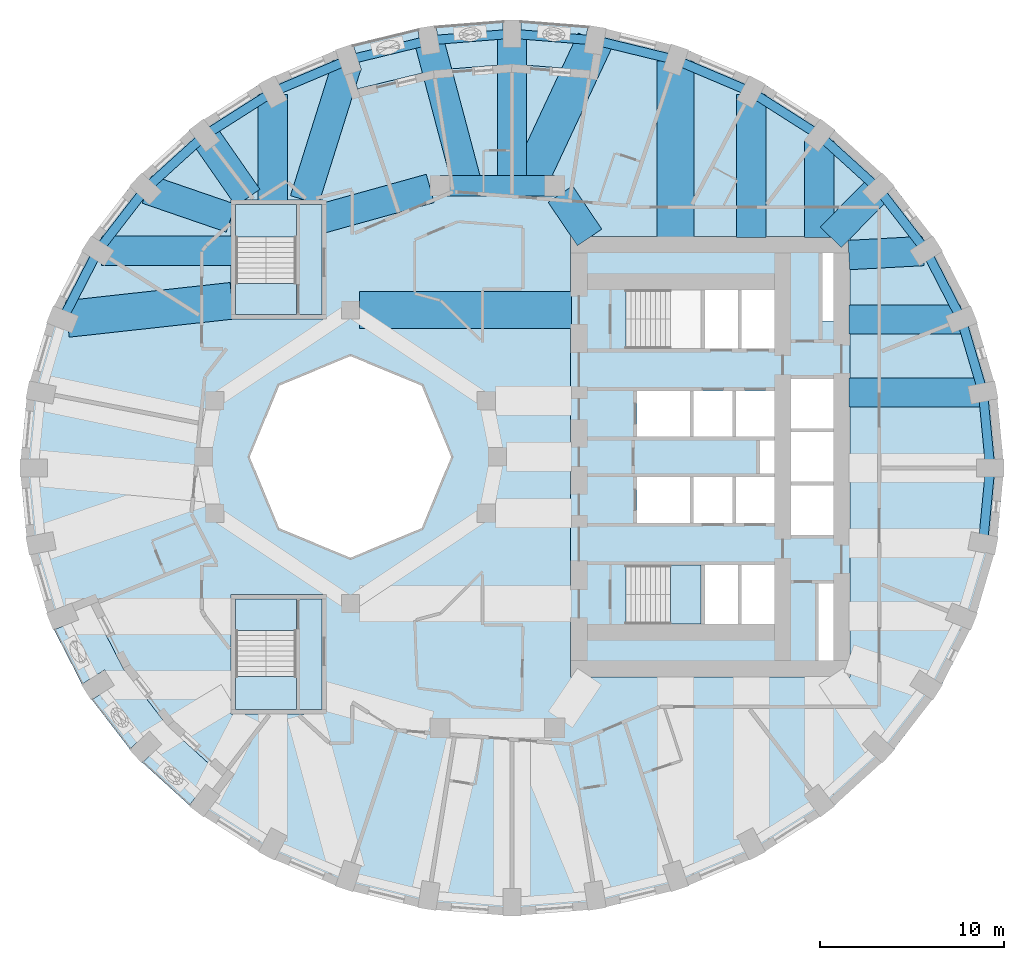
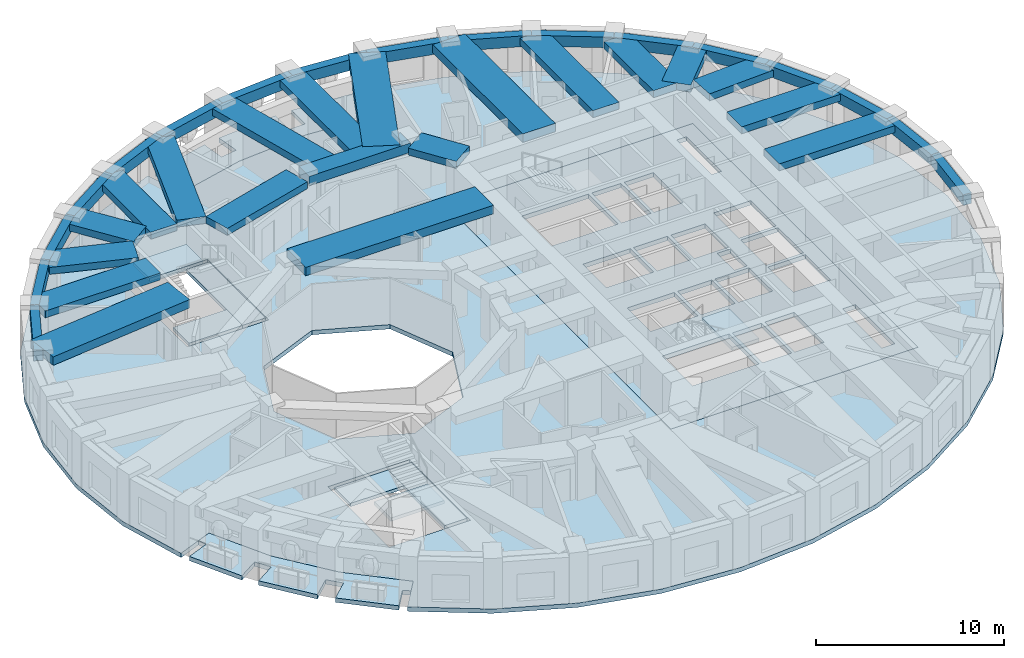
# One storey, part 2 of 12: 37 beams, 11 slabs, 3 elements without a shape of their own.
"""IFC4 building model written with IfcOpenShell, lengths in metres."""

from ifc_helpers import new_model, si_unit, direction, frame, origin, origin_2d, place, context, subcontext, project, spatial, polyline, rectangle, outline, extrude, material, layer, layer_set, material_profile, profile_set, type_object, element, aggregate, save


model = new_model("IFC4")

# Units and contexts
model_context = context("Model", 3, precision=1e-05, world=origin(), true_north=direction((0.0, 1.0)))
body_context = subcontext(model_context, "Body", "Model", "MODEL_VIEW")
ifc_project = project(units=[si_unit("LENGTHUNIT", "METRE"), si_unit("AREAUNIT", "SQUARE_METRE"), si_unit("VOLUMEUNIT", "CUBIC_METRE"), si_unit("PLANEANGLEUNIT", "RADIAN"), si_unit("MASSUNIT", "GRAM", prefix="KILO")], contexts=[model_context])

# Site, building, storey
site_placement = place(None, origin())
site = spatial("IfcSite", under=ifc_project, at=site_placement, CompositionType="ELEMENT")
building_placement = place(site_placement, origin())
building = spatial("IfcBuilding", under=site, at=building_placement, Name="Taillehof Tower", CompositionType="ELEMENT")
storey_placement = place(building_placement, frame((0.0, 0.0, 128.5)))
storey = spatial("IfcBuildingStorey", under=building, at=storey_placement, Name="L36", CompositionType="ELEMENT", Elevation=128.5)

# Beams
ifc_material_1 = material(Name="Concrete C50/60", Category="concrete")
ifc_material_profile_1 = material_profile(ifc_material_1, rectangle(XDim=1.10009765625, YDim=0.60009765625, at=origin_2d()), Name="RC 1100x600")
ifc_profile_set_1 = profile_set([ifc_material_profile_1], Name="Concrete C50/60")
beam_type_1 = type_object("IfcBeamType", Name="Mid-ring beam C50/60 1100x600", PredefinedType="BEAM", material=ifc_profile_set_1)
beam_1_placement = place(storey_placement, frame((3.125732421875, 14.772216796875, 2.719970703125), z_axis=(-1.0, 0.0, 0.0), x_axis=(0.0, -1.0, 0.0)))
element("IfcBeam", 1, at=beam_1_placement, inside=storey, type_object=beam_type_1, Name="Mid-ring beam MB01", PredefinedType="BEAM", context=body_context, shape_type="SweptSolid", body=[
    extrude(rectangle(XDim=1.10009765625, YDim=0.60009765625, at=origin_2d()), origin(), (0.0, 0.0, 1.0), 6.25146484375),
])
ifc_material_2 = material(Name="Concrete C50/60", Category="concrete")
ifc_material_profile_2 = material_profile(ifc_material_2, rectangle(XDim=1.60009765625, YDim=0.449951171875, at=origin_2d()), Name="RC 1600x450")
ifc_profile_set_2 = profile_set([ifc_material_profile_2], Name="Concrete C50/60")
beam_type_2 = type_object("IfcBeamType", Name="Radial band beam C50/60 1600x450", PredefinedType="BEAM", material=ifc_profile_set_2)
beam_2_placement = place(storey_placement, frame((26.454345703125, 3.5068359375, 2.794921875), z_axis=(-1.0, 0.0, 0.0), x_axis=(0.0, -1.0, 0.0)))
element("IfcBeam", 2, at=beam_2_placement, inside=storey, type_object=beam_type_2, Name="Radial band beam RB02", PredefinedType="BEAM", context=body_context, shape_type="SweptSolid", body=[
    extrude(rectangle(XDim=1.60009765625, YDim=0.449951171875, at=origin_2d()), origin(), (0.0, 0.0, 1.0), 7.304443359375),
])
beam_3_placement = place(storey_placement, frame((25.2275390625, 7.48876953125, 2.794921875), z_axis=(-1.0, 0.0, 0.0), x_axis=(0.0, -1.0, 0.0)))
element("IfcBeam", 3, at=beam_3_placement, inside=storey, type_object=beam_type_2, Name="Radial band beam RB03", PredefinedType="BEAM", context=body_context, shape_type="SweptSolid", body=[
    extrude(rectangle(XDim=1.60009765625, YDim=0.449951171875, at=origin_2d()), origin(), (0.0, 0.0, 1.0), 6.07763671875),
])
beam_4_placement = place(storey_placement, frame((23.197021484375, 11.21630859375, 2.794921875), z_axis=(-0.998539024739, -0.054035322466, 0.0), x_axis=(0.054035322466, -0.998539024739, 0.0)))
element("IfcBeam", 4, at=beam_4_placement, inside=storey, type_object=beam_type_2, Name="Radial band beam RB04", PredefinedType="BEAM", context=body_context, shape_type="SweptSolid", body=[
    extrude(rectangle(XDim=1.60009765625, YDim=0.449951171875, at=origin_2d()), origin(), (0.0, 0.0, 1.0), 4.052734375),
])
beam_5_placement = place(storey_placement, frame((20.75537109375, 14.60205078125, 2.794921875), z_axis=(-0.700671998657, -0.713483531903, 0.0), x_axis=(0.713483531903, -0.700671998657, 0.0)))
element("IfcBeam", 5, at=beam_5_placement, inside=storey, type_object=beam_type_2, Name="Radial band beam RB05", PredefinedType="BEAM", context=body_context, shape_type="SweptSolid", body=[
    extrude(rectangle(XDim=1.60009765625, YDim=0.449951171875, at=origin_2d()), origin(), (0.0, 0.0, 1.0), 3.697021484375),
])
beam_6_placement = place(storey_placement, frame((17.544677734375, 17.2216796875, 2.794921875), z_axis=(0.0, -1.0, 0.0), x_axis=(1.0, 0.0, 0.0)))
element("IfcBeam", 6, at=beam_6_placement, inside=storey, type_object=beam_type_2, Name="Radial band beam RB06", PredefinedType="BEAM", context=body_context, shape_type="SweptSolid", body=[
    extrude(rectangle(XDim=1.60009765625, YDim=0.449951171875, at=origin_2d()), origin(), (0.0, 0.0, 1.0), 5.271728515625),
])
beam_7_placement = place(storey_placement, frame((13.824951171875, 19.744384765625, 2.794921875), z_axis=(0.0, -1.0, 0.0), x_axis=(1.0, 0.0, 0.0)))
element("IfcBeam", 7, at=beam_7_placement, inside=storey, type_object=beam_type_2, Name="Radial band beam RB07", PredefinedType="BEAM", context=body_context, shape_type="SweptSolid", body=[
    extrude(rectangle(XDim=1.60009765625, YDim=0.449951171875, at=origin_2d()), origin(), (0.0, 0.0, 1.0), 7.79443359375),
])
beam_8_placement = place(storey_placement, frame((0.800048828125, 23.050048828125, 2.794921875), z_axis=(0.0, -1.0, 0.0), x_axis=(1.0, 0.0, 0.0)))
element("IfcBeam", 8, at=beam_8_placement, inside=storey, type_object=beam_type_2, Name="Radial band beam RB10", PredefinedType="BEAM", context=body_context, shape_type="SweptSolid", body=[
    extrude(rectangle(XDim=1.60009765625, YDim=0.449951171875, at=origin_2d()), origin(), (0.0, 0.0, 1.0), 8.27783203125),
])
beam_9_placement = place(storey_placement, frame((-3.7236328125, 22.690673828125, 2.794921875), z_axis=(0.256102263642, -0.966649693817, 0.0), x_axis=(0.966649693817, 0.256102263642, 0.0)))
element("IfcBeam", 9, at=beam_9_placement, inside=storey, type_object=beam_type_2, Name="Radial band beam RB11", PredefinedType="BEAM", context=body_context, shape_type="SweptSolid", body=[
    extrude(rectangle(XDim=1.60009765625, YDim=0.449951171875, at=origin_2d()), origin(), (0.0, 0.0, 1.0), 8.191650390625),
])
beam_10_placement = place(storey_placement, frame((-8.189453125, 21.369140625, 2.794921875), z_axis=(-0.299184997435, -0.954195125386, 0.0), x_axis=(0.954195125386, -0.299184997435, 0.0)))
element("IfcBeam", 10, at=beam_10_placement, inside=storey, type_object=beam_type_2, Name="Radial band beam RB12", PredefinedType="BEAM", context=body_context, shape_type="SweptSolid", body=[
    extrude(rectangle(XDim=1.60009765625, YDim=0.449951171875, at=origin_2d()), origin(), (0.0, 0.0, 1.0), 7.728515625),
])
beam_11_placement = place(storey_placement, frame((-12.22509765625, 19.744384765625, 2.794921875), z_axis=(0.0, -1.0, 0.0), x_axis=(1.0, 0.0, 0.0)))
element("IfcBeam", 11, at=beam_11_placement, inside=storey, type_object=beam_type_2, Name="Radial band beam RB13", PredefinedType="BEAM", context=body_context, shape_type="SweptSolid", body=[
    extrude(rectangle(XDim=1.60009765625, YDim=0.449951171875, at=origin_2d()), origin(), (0.0, 0.0, 1.0), 5.79443359375),
])
beam_12_placement = place(storey_placement, frame((-15.944580078125, 17.516845703125, 2.794921875), z_axis=(0.570763290366, -0.821114648737, 0.0), x_axis=(0.821114648737, 0.570763290366, 0.0)))
element("IfcBeam", 12, at=beam_12_placement, inside=storey, type_object=beam_type_2, Name="Radial band beam RB14", PredefinedType="BEAM", context=body_context, shape_type="SweptSolid", body=[
    extrude(rectangle(XDim=1.60009765625, YDim=0.449951171875, at=origin_2d()), origin(), (0.0, 0.0, 1.0), 4.1328125),
])
beam_13_placement = place(storey_placement, frame((-19.080810546875, 14.576171875, 2.794921875), z_axis=(0.945583195076, -0.325380425334, 0.0), x_axis=(0.325380425334, 0.945583195076, 0.0)))
element("IfcBeam", 13, at=beam_13_placement, inside=storey, type_object=beam_type_2, Name="Radial band beam RB15", PredefinedType="BEAM", context=body_context, shape_type="SweptSolid", body=[
    extrude(rectangle(XDim=1.60009765625, YDim=0.449951171875, at=origin_2d()), origin(), (0.0, 0.0, 1.0), 4.83349609375),
])
beam_14_placement = place(storey_placement, frame((-21.54736328125, 11.22509765625, 2.794921875), z_axis=(1.0, 0.0, 0.0), x_axis=(0.0, 1.0, 0.0)))
element("IfcBeam", 14, at=beam_14_placement, inside=storey, type_object=beam_type_2, Name="Radial band beam RB16", PredefinedType="BEAM", context=body_context, shape_type="SweptSolid", body=[
    extrude(rectangle(XDim=1.60009765625, YDim=0.449951171875, at=origin_2d()), origin(), (0.0, 0.0, 1.0), 7.097412109375),
])
beam_15_placement = place(storey_placement, frame((3.433837890625, 14.31640625, 2.794921875), z_axis=(0.560112043398, -0.828416862962, 0.0), x_axis=(0.828416862962, 0.560112043398, 0.0)))
element("IfcBeam", 15, at=beam_15_placement, inside=storey, type_object=beam_type_2, Name="Inner band beam IB205", PredefinedType="BEAM", context=body_context, shape_type="SweptSolid", body=[
    extrude(rectangle(XDim=1.60009765625, YDim=0.449951171875, at=origin_2d()), origin(), (0.0, 0.0, 1.0), 2.84619140625),
])
beam_16_placement = place(storey_placement, frame((-3.655517578125, 14.624755859375, 2.794921875), z_axis=(-0.963459369536, -0.267854518821, 0.0), x_axis=(0.267854518821, -0.963459369536, 0.0)))
element("IfcBeam", 16, at=beam_16_placement, inside=storey, type_object=beam_type_2, Name="Inner band beam IB206", PredefinedType="BEAM", context=body_context, shape_type="SweptSolid", body=[
    extrude(rectangle(XDim=1.60009765625, YDim=0.449951171875, at=origin_2d()), origin(), (0.0, 0.0, 1.0), 6.096923828125),
])
ifc_material_3 = material(Name="Concrete C50/60", Category="concrete")
ifc_material_profile_3 = material_profile(ifc_material_3, rectangle(XDim=2.0, YDim=0.550048828125, at=origin_2d()), Name="RC 2000x550")
ifc_profile_set_3 = profile_set([ifc_material_profile_3], Name="Concrete C50/60")
beam_type_3 = type_object("IfcBeamType", Name="Radial band beam C50/60 2000x550", PredefinedType="BEAM", material=ifc_profile_set_3)
beam_17_placement = place(storey_placement, frame((9.709716796875, 21.556640625, 2.7451171875), z_axis=(0.0, -1.0, 0.0), x_axis=(1.0, 0.0, 0.0)))
element("IfcBeam", 17, at=beam_17_placement, inside=storey, type_object=beam_type_3, Name="Radial band beam RB08", PredefinedType="BEAM", context=body_context, shape_type="SweptSolid", body=[
    extrude(rectangle(XDim=2.0, YDim=0.550048828125, at=origin_2d()), origin(), (0.0, 0.0, 1.0), 9.606689453125),
])
beam_18_placement = place(storey_placement, frame((5.312744140625, 22.66748046875, 2.7451171875), z_axis=(-0.423126261145, -0.90607072965, 0.0), x_axis=(0.90607072965, -0.423126261145, 0.0)))
element("IfcBeam", 18, at=beam_18_placement, inside=storey, type_object=beam_type_3, Name="Radial band beam RB09", PredefinedType="BEAM", context=body_context, shape_type="SweptSolid", body=[
    extrude(rectangle(XDim=2.0, YDim=0.550048828125, at=origin_2d()), origin(), (0.0, 0.0, 1.0), 8.713623046875),
])
beam_19_placement = place(storey_placement, frame((-23.42919921875, 7.516357421875, 2.7451171875), z_axis=(0.993988424713, 0.109485211499, 0.0), x_axis=(-0.109485211499, 0.993988424713, 0.0)))
element("IfcBeam", 19, at=beam_19_placement, inside=storey, type_object=beam_type_3, Name="Radial band beam RB17", PredefinedType="BEAM", context=body_context, shape_type="SweptSolid", body=[
    extrude(rectangle(XDim=2.0, YDim=0.550048828125, at=origin_2d()), origin(), (0.0, 0.0, 1.0), 9.033203125),
])
beam_20_placement = place(storey_placement, frame((-7.5, 8.0, 2.7451171875), z_axis=(1.0, 0.0, 0.0), x_axis=(0.0, 1.0, 0.0)))
element("IfcBeam", 20, at=beam_20_placement, inside=storey, type_object=beam_type_3, Name="Inner band beam IB105", PredefinedType="BEAM", context=body_context, shape_type="SweptSolid", body=[
    extrude(rectangle(XDim=2.0, YDim=0.550048828125, at=origin_2d()), origin(), (0.0, 0.0, 1.0), 11.550048828125),
])
ifc_material_4 = material(Name="Concrete C50/60", Category="concrete")
ifc_material_profile_4 = material_profile(ifc_material_4, rectangle(XDim=0.5, YDim=0.699951171875, at=origin_2d()), Name="RC 500x700")
ifc_profile_set_4 = profile_set([ifc_material_profile_4], Name="Concrete C50/60")
beam_type_4 = type_object("IfcBeamType", Name="Spandrel beam C50/60 500x700", PredefinedType="SPANDREL", material=ifc_profile_set_4)
beam_21_placement = place(storey_placement, frame((26.85009765625, -0.60009765625, 2.669921875), z_axis=(-0.095917608943, 0.995389276763, 0.0), x_axis=(-0.995389276763, -0.095917608943, 0.0)))
element("IfcBeam", 21, at=beam_21_placement, inside=storey, type_object=beam_type_4, Name="Spandrel beam SB01", PredefinedType="SPANDREL", context=body_context, shape_type="SweptSolid", body=[
    extrude(rectangle(XDim=0.5, YDim=0.699951171875, at=origin_2d()), origin(), (0.0, 0.0, 1.0), 4.1259765625),
])
beam_22_placement = place(storey_placement, frame((26.454345703125, 3.5068359375, 2.669921875), z_axis=(-0.28308309012, 0.95909538842, 0.0), x_axis=(-0.95909538842, -0.28308309012, 0.0)))
element("IfcBeam", 22, at=beam_22_placement, inside=storey, type_object=beam_type_4, Name="Spandrel beam SB02", PredefinedType="SPANDREL", context=body_context, shape_type="SweptSolid", body=[
    extrude(rectangle(XDim=0.5, YDim=0.699951171875, at=origin_2d()), origin(), (0.0, 0.0, 1.0), 4.15185546875),
])
beam_23_placement = place(storey_placement, frame((25.279052734375, 7.48876953125, 2.669921875), z_axis=(-0.456905372708, 0.88951530644, 0.0), x_axis=(-0.88951530644, -0.456905372708, 0.0)))
element("IfcBeam", 23, at=beam_23_placement, inside=storey, type_object=beam_type_4, Name="Spandrel beam SB03", PredefinedType="SPANDREL", context=body_context, shape_type="SweptSolid", body=[
    extrude(rectangle(XDim=0.5, YDim=0.699951171875, at=origin_2d()), origin(), (0.0, 0.0, 1.0), 4.200439453125),
])
beam_24_placement = place(storey_placement, frame((23.35986328125, 11.22509765625, 2.669921875), z_axis=(-0.61071731561, 0.79184869793, 0.0), x_axis=(-0.79184869793, -0.61071731561, 0.0)))
element("IfcBeam", 24, at=beam_24_placement, inside=storey, type_object=beam_type_4, Name="Spandrel beam SB04", PredefinedType="SPANDREL", context=body_context, shape_type="SweptSolid", body=[
    extrude(rectangle(XDim=0.5, YDim=0.699951171875, at=origin_2d()), origin(), (0.0, 0.0, 1.0), 4.2646484375),
])
beam_25_placement = place(storey_placement, frame((20.75537109375, 14.60205078125, 2.669921875), z_axis=(-0.740400998917, 0.672165426665, 0.0), x_axis=(-0.672165426665, -0.740400998917, 0.0)))
element("IfcBeam", 25, at=beam_25_placement, inside=storey, type_object=beam_type_4, Name="Spandrel beam SB05", PredefinedType="SPANDREL", context=body_context, shape_type="SweptSolid", body=[
    extrude(rectangle(XDim=0.5, YDim=0.699951171875, at=origin_2d()), origin(), (0.0, 0.0, 1.0), 4.33642578125),
])
beam_26_placement = place(storey_placement, frame((17.544677734375, 17.516845703125, 2.669921875), z_axis=(-0.843903157847, 0.536495536027, 0.0), x_axis=(-0.536495536027, -0.843903157847, 0.0)))
element("IfcBeam", 26, at=beam_26_placement, inside=storey, type_object=beam_type_4, Name="Spandrel beam SB06", PredefinedType="SPANDREL", context=body_context, shape_type="SweptSolid", body=[
    extrude(rectangle(XDim=0.5, YDim=0.699951171875, at=origin_2d()), origin(), (0.0, 0.0, 1.0), 4.40771484375),
])
beam_27_placement = place(storey_placement, frame((13.824951171875, 19.881591796875, 2.669921875), z_axis=(-0.920876744153, 0.389853847074, 0.0), x_axis=(-0.389853847074, -0.920876744153, 0.0)))
element("IfcBeam", 27, at=beam_27_placement, inside=storey, type_object=beam_type_4, Name="Spandrel beam SB07", PredefinedType="SPANDREL", context=body_context, shape_type="SweptSolid", body=[
    extrude(rectangle(XDim=0.5, YDim=0.699951171875, at=origin_2d()), origin(), (0.0, 0.0, 1.0), 4.46875),
])
beam_28_placement = place(storey_placement, frame((9.709716796875, 21.623779296875, 2.669921875), z_axis=(-0.971668945916, 0.23634605887, 0.0), x_axis=(-0.23634605887, -0.971668945916, 0.0)))
element("IfcBeam", 28, at=beam_28_placement, inside=storey, type_object=beam_type_4, Name="Spandrel beam SB08", PredefinedType="SPANDREL", context=body_context, shape_type="SweptSolid", body=[
    extrude(rectangle(XDim=0.5, YDim=0.699951171875, at=origin_2d()), origin(), (0.0, 0.0, 1.0), 4.51416015625),
])
beam_29_placement = place(storey_placement, frame((5.323486328125, 22.690673828125, 2.669921875), z_axis=(-0.996858923208, 0.079197772828, 0.0), x_axis=(-0.079197772828, -0.996858923208, 0.0)))
element("IfcBeam", 29, at=beam_29_placement, inside=storey, type_object=beam_type_4, Name="Spandrel beam SB09", PredefinedType="SPANDREL", context=body_context, shape_type="SweptSolid", body=[
    extrude(rectangle(XDim=0.5, YDim=0.699951171875, at=origin_2d()), origin(), (0.0, 0.0, 1.0), 4.53759765625),
])
beam_30_placement = place(storey_placement, frame((0.800048828125, 23.050048828125, 2.669921875), z_axis=(-0.996859260648, -0.079193525375, 0.0), x_axis=(0.079193525375, -0.996859260648, 0.0)))
element("IfcBeam", 30, at=beam_30_placement, inside=storey, type_object=beam_type_4, Name="Spandrel beam SB10", PredefinedType="SPANDREL", context=body_context, shape_type="SweptSolid", body=[
    extrude(rectangle(XDim=0.5, YDim=0.699951171875, at=origin_2d()), origin(), (0.0, 0.0, 1.0), 4.537841796875),
])
beam_31_placement = place(storey_placement, frame((-3.7236328125, 22.690673828125, 2.669921875), z_axis=(-0.971665924588, -0.236358479847, 0.0), x_axis=(0.236358479847, -0.971665924588, 0.0)))
element("IfcBeam", 31, at=beam_31_placement, inside=storey, type_object=beam_type_4, Name="Spandrel beam SB11", PredefinedType="SPANDREL", context=body_context, shape_type="SweptSolid", body=[
    extrude(rectangle(XDim=0.5, YDim=0.699951171875, at=origin_2d()), origin(), (0.0, 0.0, 1.0), 4.513916015625),
])
beam_32_placement = place(storey_placement, frame((-8.109619140625, 21.623779296875, 2.669921875), z_axis=(-0.920885046825, -0.389834234688, 0.0), x_axis=(0.389834234688, -0.920885046825, 0.0)))
element("IfcBeam", 32, at=beam_32_placement, inside=storey, type_object=beam_type_4, Name="Spandrel beam SB12", PredefinedType="SPANDREL", context=body_context, shape_type="SweptSolid", body=[
    extrude(rectangle(XDim=0.5, YDim=0.699951171875, at=origin_2d()), origin(), (0.0, 0.0, 1.0), 4.468994140625),
])
beam_33_placement = place(storey_placement, frame((-12.22509765625, 19.881591796875, 2.669921875), z_axis=(-0.843887214322, -0.536520614239, 0.0), x_axis=(0.536520614239, -0.843887214322, 0.0)))
element("IfcBeam", 33, at=beam_33_placement, inside=storey, type_object=beam_type_4, Name="Spandrel beam SB13", PredefinedType="SPANDREL", context=body_context, shape_type="SweptSolid", body=[
    extrude(rectangle(XDim=0.5, YDim=0.699951171875, at=origin_2d()), origin(), (0.0, 0.0, 1.0), 4.407470703125),
])
beam_34_placement = place(storey_placement, frame((-15.944580078125, 17.516845703125, 2.669921875), z_axis=(-0.740426434014, -0.672137408432, 0.0), x_axis=(0.672137408432, -0.740426434014, 0.0)))
element("IfcBeam", 34, at=beam_34_placement, inside=storey, type_object=beam_type_4, Name="Spandrel beam SB14", PredefinedType="SPANDREL", context=body_context, shape_type="SweptSolid", body=[
    extrude(rectangle(XDim=0.5, YDim=0.699951171875, at=origin_2d()), origin(), (0.0, 0.0, 1.0), 4.336669921875),
])
beam_35_placement = place(storey_placement, frame((-19.155517578125, 14.60205078125, 2.669921875), z_axis=(-0.61071731561, -0.79184869793, 0.0), x_axis=(0.79184869793, -0.61071731561, 0.0)))
element("IfcBeam", 35, at=beam_35_placement, inside=storey, type_object=beam_type_4, Name="Spandrel beam SB15", PredefinedType="SPANDREL", context=body_context, shape_type="SweptSolid", body=[
    extrude(rectangle(XDim=0.5, YDim=0.699951171875, at=origin_2d()), origin(), (0.0, 0.0, 1.0), 4.2646484375),
])
beam_36_placement = place(storey_placement, frame((-21.760009765625, 11.22509765625, 2.669921875), z_axis=(-0.456859381733, -0.889538928503, 0.0), x_axis=(0.889538928503, -0.456859381733, 0.0)))
element("IfcBeam", 36, at=beam_36_placement, inside=storey, type_object=beam_type_4, Name="Spandrel beam SB16", PredefinedType="SPANDREL", context=body_context, shape_type="SweptSolid", body=[
    extrude(rectangle(XDim=0.5, YDim=0.699951171875, at=origin_2d()), origin(), (0.0, 0.0, 1.0), 4.2001953125),
])
beam_37_placement = place(storey_placement, frame((26.454345703125, -4.706787109375, 2.669921875), z_axis=(0.09592325873, 0.995388732323, 0.0), x_axis=(-0.995388732323, 0.09592325873, 0.0)))
element("IfcBeam", 37, at=beam_37_placement, inside=storey, type_object=beam_type_4, Name="Spandrel beam SB36", PredefinedType="SPANDREL", context=body_context, shape_type="SweptSolid", body=[
    extrude(rectangle(XDim=0.5, YDim=0.699951171875, at=origin_2d()), origin(), (0.0, 0.0, 1.0), 4.125732421875),
])

# Slabs
ifc_material_5 = material(Name="Concrete C40/50", Category="concrete")
ifc_layer_1 = layer(ifc_material_5, 0.280029296875)
ifc_layer_set_1 = layer_set([ifc_layer_1], Name="Balcony slab 280")
slab_type_1 = type_object("IfcSlabType", Name="Balcony slab 280", PredefinedType="USERDEFINED", material=ifc_layer_set_1)
slab_1_placement = place(storey_placement, frame((0.0, 0.0, -0.280029296875)))
element("IfcSlab", 38, at=slab_1_placement, inside=storey, type_object=slab_type_1, Name="Balcony L36 pocket 2", ObjectType="BALCONY", PredefinedType="USERDEFINED", context=body_context, shape_type="SweptSolid", body=[
    extrude(outline(polyline([(-7.611328125, 20.05029296875), (-7.894287109375, 20.905029296875), (-7.399169921875, 21.069091796875), (-7.857666015625, 22.45263671875), (-4.329833984375, 23.313232421875), (-4.098388671875, 21.870849609375), (-3.111083984375, 22.029541015625), (-3.34228515625, 23.469970703125), (0.300048828125, 23.76025390625), (0.300048828125, 22.300048828125), (1.300048828125, 22.300048828125), (1.300048828125, 23.76025390625), (4.942138671875, 23.469970703125), (4.7109375, 22.029541015625), (5.216064453125, 21.9482421875), (5.0732421875, 21.0595703125), (0.800048828125, 21.39990234375), (-3.473388671875, 21.0595703125), (-7.611328125, 20.05029296875)])), origin(), (0.0, 0.0, 1.0), 0.280029296875),
])
slab_2_placement = place(storey_placement, frame((0.0, 0.0, -0.280029296875)))
element("IfcSlab", 39, at=slab_2_placement, inside=storey, type_object=slab_type_1, Name="Balcony L36 pocket 6", ObjectType="BALCONY", PredefinedType="USERDEFINED", context=body_context, shape_type="SweptSolid", body=[
    extrude(outline(polyline([(-14.9697265625, -17.38427734375), (-15.5166015625, -18.10009765625), (-15.88671875, -17.8173828125), (-16.7724609375, -18.976806640625), (-19.3330078125, -16.6455078125), (-18.26513671875, -15.661376953125), (-18.94287109375, -14.926025390625), (-20.0146484375, -15.913818359375), (-22.084228515625, -13.22265625), (-20.85888671875, -12.445556640625), (-21.394287109375, -11.60107421875), (-22.6240234375, -12.380859375), (-24.14404296875, -9.4130859375), (-22.796875, -8.874755859375), (-22.9912109375, -8.388671875), (-22.1552734375, -8.054443359375), (-20.382568359375, -11.5146484375), (-17.965087890625, -14.657470703125), (-14.9697265625, -17.38427734375)])), origin(), (0.0, 0.0, 1.0), 0.280029296875),
])
ifc_material_6 = material(Name="Concrete C40/50", Category="concrete")
ifc_layer_2 = layer(ifc_material_6, 0.280029296875)
ifc_layer_set_2 = layer_set([ifc_layer_2], Name="Core floor slab C40/50 280")
slab_type_2 = type_object("IfcSlabType", Name="Core floor slab C40/50 280", PredefinedType="FLOOR", material=ifc_layer_set_2)
slab_3_placement = place(storey_placement, frame((0.0, 0.0, -0.280029296875)))
element("IfcSlab", 40, at=slab_3_placement, inside=storey, type_object=slab_type_2, Name="Core floor L36", PredefinedType="FLOOR", context=body_context, shape_type="SweptSolid", body=[
    extrude(outline(polyline([(4.0, -12.0), (4.0, 12.0), (19.199951171875, 12.0), (19.199951171875, -12.0), (4.0, -12.0)]), holes=[polyline([(7.00048828125, -9.10009765625), (11.10009765625, -9.10009765625), (11.10009765625, -5.89990234375), (7.00048828125, -5.89990234375), (7.00048828125, -9.10009765625)]), polyline([(13.10009765625, -9.10009765625), (13.10009765625, -5.89990234375), (11.300048828125, -5.89990234375), (11.300048828125, -9.10009765625), (13.10009765625, -9.10009765625)]), polyline([(10.5, -3.60009765625), (10.5, -1.10009765625), (7.60009765625, -1.10009765625), (7.60009765625, -3.60009765625), (10.5, -3.60009765625)]), polyline([(12.800048828125, -3.60009765625), (12.800048828125, -1.10009765625), (10.699951171875, -1.10009765625), (10.699951171875, -3.60009765625), (12.800048828125, -3.60009765625)]), polyline([(10.5, 1.10009765625), (10.5, 3.60009765625), (7.60009765625, 3.60009765625), (7.60009765625, 1.10009765625), (10.5, 1.10009765625)]), polyline([(12.800048828125, 1.10009765625), (12.800048828125, 3.60009765625), (10.699951171875, 3.60009765625), (10.699951171875, 1.10009765625), (12.800048828125, 1.10009765625)]), polyline([(15.10009765625, 1.10009765625), (15.10009765625, 3.60009765625), (13.0, 3.60009765625), (13.0, 1.10009765625), (15.10009765625, 1.10009765625)]), polyline([(11.300048828125, 5.89990234375), (13.10009765625, 5.89990234375), (13.10009765625, 9.10009765625), (11.300048828125, 9.10009765625), (11.300048828125, 5.89990234375)]), polyline([(7.00048828125, 5.89990234375), (11.10009765625, 5.89990234375), (11.10009765625, 9.10009765625), (7.00048828125, 9.10009765625), (7.00048828125, 5.89990234375)]), polyline([(18.300048828125, -11.10009765625), (18.300048828125, -6.89990234375), (17.5, -6.89990234375), (17.5, -11.10009765625), (18.300048828125, -11.10009765625)]), polyline([(15.10009765625, -9.10009765625), (15.10009765625, -5.89990234375), (13.300048828125, -5.89990234375), (13.300048828125, -9.10009765625), (15.10009765625, -9.10009765625)]), polyline([(18.300048828125, -4.25), (18.300048828125, -1.550048828125), (16.0, -1.550048828125), (16.0, -4.25), (18.300048828125, -4.25)]), polyline([(15.10009765625, -3.60009765625), (15.10009765625, -1.10009765625), (13.0, -1.10009765625), (13.0, -3.60009765625), (15.10009765625, -3.60009765625)]), polyline([(15.10009765625, -0.89990234375), (15.10009765625, 0.89990234375), (14.300048828125, 0.89990234375), (14.300048828125, -0.89990234375), (15.10009765625, -0.89990234375)]), polyline([(18.300048828125, -1.35009765625), (18.300048828125, 1.35009765625), (16.0, 1.35009765625), (16.0, -1.35009765625), (18.300048828125, -1.35009765625)]), polyline([(18.300048828125, 1.550048828125), (18.300048828125, 4.25), (16.0, 4.25), (16.0, 1.550048828125), (18.300048828125, 1.550048828125)]), polyline([(13.300048828125, 5.89990234375), (15.10009765625, 5.89990234375), (15.10009765625, 9.10009765625), (13.300048828125, 9.10009765625), (13.300048828125, 5.89990234375)]), polyline([(18.300048828125, 7.39990234375), (18.300048828125, 11.10009765625), (17.699951171875, 11.10009765625), (17.699951171875, 7.39990234375), (18.300048828125, 7.39990234375)])]), origin(), (0.0, 0.0, 1.0), 0.280029296875),
])
ifc_material_7 = material(Name="Concrete C40/50", Category="concrete")
ifc_layer_3 = layer(ifc_material_7, 0.280029296875)
ifc_layer_set_3 = layer_set([ifc_layer_3], Name="Floor slab 280")
slab_type_3 = type_object("IfcSlabType", Name="Floor slab 280", PredefinedType="FLOOR", material=ifc_layer_set_3)
slab_4_placement = place(storey_placement, frame((0.0, 0.0, -0.280029296875)))
element("IfcSlab", 41, at=slab_4_placement, inside=storey, type_object=slab_type_3, Name="Floor slab L36", PredefinedType="FLOOR", context=body_context, shape_type="SweptSolid", body=[
    extrude(outline(polyline([(27.60009765625, -0.60009765625), (27.19287109375, 3.636962890625), (25.98388671875, 7.745361328125), (24.009521484375, 11.60009765625), (21.330078125, 15.083984375), (18.026611328125, 18.091552734375), (14.199951171875, 20.531005859375), (9.966064453125, 22.32861328125), (5.453857421875, 23.42919921875), (5.073486328125, 21.059814453125), (0.800048828125, 21.39990234375), (-3.473388671875, 21.059814453125), (-7.611083984375, 20.05029296875), (-8.3662109375, 22.32861328125), (-12.60009765625, 20.531005859375), (-16.4267578125, 18.091552734375), (-19.72998046875, 15.083984375), (-22.409423828125, 11.60009765625), (-24.3837890625, 7.745361328125), (-25.5927734375, 3.636962890625), (-26.0, -0.60009765625), (-25.5927734375, -4.8369140625), (-24.3837890625, -8.9453125), (-22.1552734375, -8.054443359375), (-20.3828125, -11.5146484375), (-17.965087890625, -14.657470703125), (-14.9697265625, -17.38427734375), (-16.4267578125, -19.29150390625), (-12.60009765625, -21.73095703125), (-8.3662109375, -23.528564453125), (-3.853759765625, -24.62939453125), (0.800048828125, -25.0), (5.453857421875, -24.62939453125), (9.966064453125, -23.528564453125), (14.199951171875, -21.73095703125), (18.026611328125, -19.29150390625), (21.330078125, -16.283935546875), (24.009521484375, -12.800048828125), (25.98388671875, -8.9453125), (27.19287109375, -4.8369140625), (27.60009765625, -0.60009765625)]), holes=[polyline([(-14.5, -7.5), (-9.5, -7.5), (-9.5, -14.0), (-14.5, -14.0), (-14.5, -7.5)]), polyline([(-8.0, -5.5), (-11.88916015625, -3.88916015625), (-13.5, 0.0), (-11.88916015625, 3.88916015625), (-8.0, 5.5), (-4.11083984375, 3.88916015625), (-2.5, 0.0), (-4.11083984375, -3.88916015625), (-8.0, -5.5)]), polyline([(19.199951171875, 12.0), (19.199951171875, -12.0), (4.0, -12.0), (4.0, 12.0), (19.199951171875, 12.0)]), polyline([(-14.5, 14.0), (-9.5, 14.0), (-9.5, 7.5), (-14.5, 7.5), (-14.5, 14.0)])]), origin(), (0.0, 0.0, 1.0), 0.280029296875),
])

# Stair, slab
ifc_material_8 = material(Name="Concrete C40/50", Category="concrete")
stair_type = type_object("IfcStairType", Name="Exit stair half-turn", PredefinedType="HALF_TURN_STAIR", material=ifc_material_8)
stair_1_placement = place(storey_placement, origin())
stair_1 = element("IfcStair", 42, at=stair_1_placement, inside=storey, type_object=stair_type, Name="Exit stair S2", PredefinedType="HALF_TURN_STAIR")
ifc_material_9 = material(Name="Concrete C40/50", Category="concrete")
ifc_layer_4 = layer(ifc_material_9, 0.2099609375)
ifc_layer_set_4 = layer_set([ifc_layer_4], Name="Stair landing C40/50 210")
slab_type_4 = type_object("IfcSlabType", Name="Stair landing C40/50 210", PredefinedType="LANDING", material=ifc_layer_set_4)
slab_5_placement = place(storey_placement, frame((0.0, 0.0, 1.43994140625)))
slab_5 = element("IfcSlab", 43, at=slab_5_placement, type_object=slab_type_4, Name="S2 landing 1", PredefinedType="LANDING", context=body_context, shape_type="SweptSolid", body=[
    extrude(outline(polyline([(9.429931640625, -5.89990234375), (11.10009765625, -5.89990234375), (11.10009765625, -9.10009765625), (9.429931640625, -9.10009765625), (9.429931640625, -5.89990234375)])), origin(), (0.0, 0.0, 1.0), 0.2099609375),
])
aggregate(stair_1, [slab_5])

stair_2_placement = place(storey_placement, origin())
stair_2 = element("IfcStair", 44, at=stair_2_placement, inside=storey, type_object=stair_type, Name="Exit stair S3", PredefinedType="HALF_TURN_STAIR")
slab_6_placement = place(storey_placement, frame((0.0, 0.0, 1.43994140625)))
slab_6 = element("IfcSlab", 45, at=slab_6_placement, type_object=slab_type_4, Name="S3 landing 1", PredefinedType="LANDING", context=body_context, shape_type="SweptSolid", body=[
    extrude(outline(polyline([(-14.25, 11.969970703125), (-14.25, 13.75), (-10.949951171875, 13.75), (-10.949951171875, 11.969970703125), (-14.25, 11.969970703125)])), origin(), (0.0, 0.0, 1.0), 0.2099609375),
])
aggregate(stair_2, [slab_6])

stair_3_placement = place(storey_placement, origin())
stair_3 = element("IfcStair", 46, at=stair_3_placement, inside=storey, type_object=stair_type, Name="Exit stair S4", PredefinedType="HALF_TURN_STAIR")
slab_7_placement = place(storey_placement, frame((0.0, 0.0, 1.43994140625)))
slab_7 = element("IfcSlab", 47, at=slab_7_placement, type_object=slab_type_4, Name="S4 landing 1", PredefinedType="LANDING", context=body_context, shape_type="SweptSolid", body=[
    extrude(outline(polyline([(-14.25, -11.969970703125), (-14.25, -13.75), (-10.949951171875, -13.75), (-10.949951171875, -11.969970703125), (-14.25, -11.969970703125)])), origin(), (0.0, 0.0, 1.0), 0.2099609375),
])
aggregate(stair_3, [slab_7])

# Slabs
slab_8_placement = place(storey_placement, frame((0.0, 0.0, -0.2099609375)))
element("IfcSlab", 48, at=slab_8_placement, inside=storey, type_object=slab_type_4, Name="Stair S3 floor landing", PredefinedType="LANDING", context=body_context, shape_type="SweptSolid", body=[
    extrude(outline(polyline([(-14.25, 7.75), (-14.25, 9.449951171875), (-10.949951171875, 9.449951171875), (-10.949951171875, 7.75), (-14.25, 7.75)])), origin(), (0.0, 0.0, 1.0), 0.2099609375),
])
slab_9_placement = place(storey_placement, frame((0.0, 0.0, -0.2099609375)))
element("IfcSlab", 49, at=slab_9_placement, inside=storey, type_object=slab_type_4, Name="Stair lobby S3 floor", PredefinedType="LANDING", context=body_context, shape_type="SweptSolid", body=[
    extrude(outline(polyline([(-10.949951171875, 7.75), (-9.550048828125, 7.75), (-9.550048828125, 13.75), (-10.949951171875, 13.75), (-10.949951171875, 7.75)])), origin(), (0.0, 0.0, 1.0), 0.2099609375),
])
slab_10_placement = place(storey_placement, frame((0.0, 0.0, -0.2099609375)))
element("IfcSlab", 50, at=slab_10_placement, inside=storey, type_object=slab_type_4, Name="Stair S4 floor landing", PredefinedType="LANDING", context=body_context, shape_type="SweptSolid", body=[
    extrude(outline(polyline([(-14.25, -7.75), (-14.25, -9.449951171875), (-10.949951171875, -9.449951171875), (-10.949951171875, -7.75), (-14.25, -7.75)])), origin(), (0.0, 0.0, 1.0), 0.2099609375),
])
slab_11_placement = place(storey_placement, frame((0.0, 0.0, -0.2099609375)))
element("IfcSlab", 51, at=slab_11_placement, inside=storey, type_object=slab_type_4, Name="Stair lobby S4 floor", PredefinedType="LANDING", context=body_context, shape_type="SweptSolid", body=[
    extrude(outline(polyline([(-10.949951171875, -13.75), (-9.550048828125, -13.75), (-9.550048828125, -7.75), (-10.949951171875, -7.75), (-10.949951171875, -13.75)])), origin(), (0.0, 0.0, 1.0), 0.2099609375),
])

save(model, "model.ifc")
